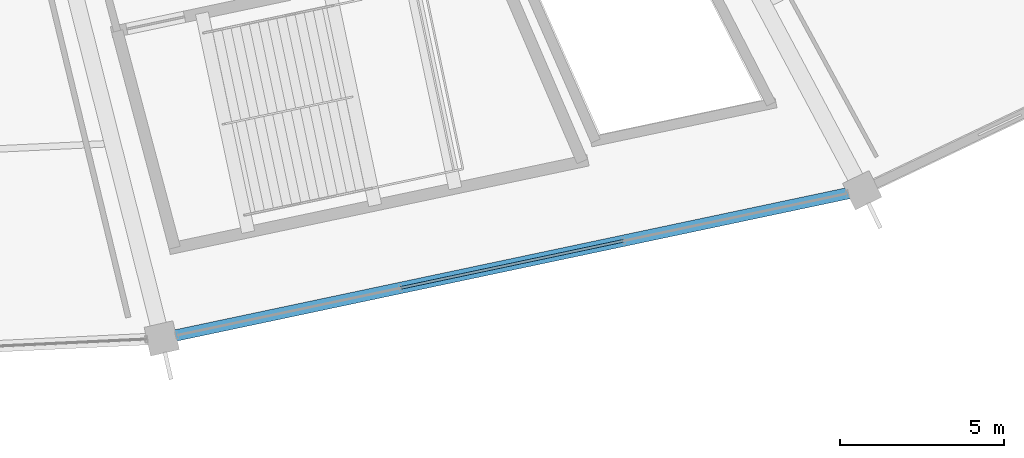
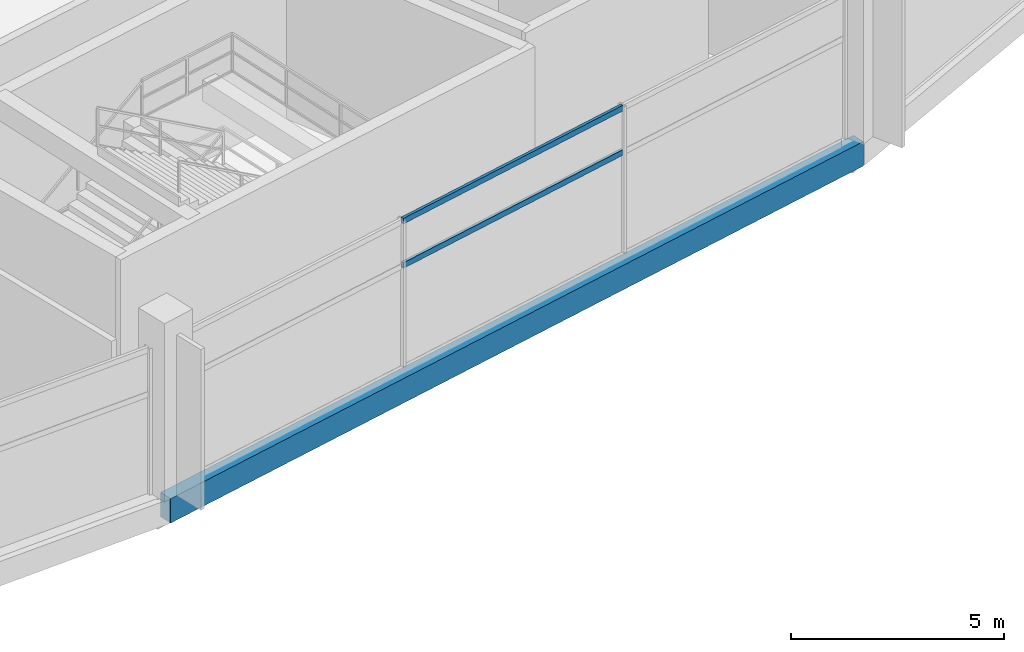
# One storey, part 61 of 184: 2 members, 1 beam, 1 element without a shape of its own.
"""IFC4 building model written with IfcOpenShell, lengths in metres."""

from ifc_helpers import new_model, si_unit, direction, frame, origin, origin_2d, place, context, subcontext, project, spatial, rectangle, hollow_rectangle, extrude, material, layer, layer_set, material_profile, profile_set, type_object, element, aggregate, save


model = new_model("IFC4")

# Units and contexts
model_context = context("Model", 3, precision=1e-05, world=origin(), true_north=direction((0.0, 1.0)))
body_context = subcontext(model_context, "Body", "Model", "MODEL_VIEW")
ifc_project = project(units=[si_unit("LENGTHUNIT", "METRE"), si_unit("AREAUNIT", "SQUARE_METRE"), si_unit("VOLUMEUNIT", "CUBIC_METRE"), si_unit("PLANEANGLEUNIT", "RADIAN"), si_unit("MASSUNIT", "GRAM", prefix="KILO")], contexts=[model_context])

# Site, building, storey
site_placement = place(None, origin())
site = spatial("IfcSite", under=ifc_project, at=site_placement, CompositionType="ELEMENT")
building_placement = place(site_placement, origin())
building = spatial("IfcBuilding", under=site, at=building_placement, Name="Kazemori Nagisa Stadium", CompositionType="ELEMENT")
storey_placement = place(building_placement, frame((0.0, 0.0, 10.5400390625)))
storey = spatial("IfcBuildingStorey", under=building, at=storey_placement, Name="L02", CompositionType="ELEMENT", Elevation=10.5400390625)

# Beam
ifc_material_1 = material(Name="Concrete C40/50 (Fc42)", Category="concrete")
ifc_material_profile_1 = material_profile(ifc_material_1, rectangle(XDim=0.35009765625, YDim=0.699951171875, at=origin_2d()), Name="RC-SP-350x700")
ifc_profile_set_1 = profile_set([ifc_material_profile_1], Name="Concrete C40/50 (Fc42)")
beam_type = type_object("IfcBeamType", Name="Beam_BS-RC350X700", PredefinedType="SPANDREL", material=ifc_profile_set_1)
beam_placement = place(storey_placement, frame((144.427734375, 17.01318359375, -0.610107421875), z_axis=(0.97834587432, 0.206976689994, 0.0), x_axis=(-0.206976689994, 0.97834587432, 0.0)))
element("IfcBeam", 1, at=beam_placement, inside=storey, type_object=beam_type, Name="Ring girder BS-RC350X700 L02 R3-23", PredefinedType="SPANDREL", context=body_context, shape_type="SweptSolid", body=[
    extrude(rectangle(XDim=0.35009765625, YDim=0.699951171875, at=origin_2d()), origin(), (0.0, 0.0, 1.0), 21.85009765625),
])

# Curtain wall, members
ifc_material_2 = material(Name="Anodised aluminium 6063-T5", Category="aluminium")
ifc_layer = layer(ifc_material_2, 0.2099609375, Name="Anodised aluminium 6063-T5", Category="aluminium")
ifc_layer_set = layer_set([ifc_layer], Name="Anodised aluminium 6063-T5")
curtain_wall_type = type_object("IfcCurtainWallType", Name="CW_L02R3_105", PredefinedType="USERDEFINED", material=ifc_layer_set)
curtain_wall_placement = place(storey_placement, origin())
curtain_wall = element("IfcCurtainWall", 2, at=curtain_wall_placement, inside=storey, type_object=curtain_wall_type, Name="Unitised curtain wall CW-L02R3-105 L02", ObjectType="UNITISED CURTAIN WALL", PredefinedType="USERDEFINED")
ifc_material_3 = material(Name="Aluminium 6063-T5 anodised", Category="aluminium")
ifc_material_profile_2 = material_profile(ifc_material_3, hollow_rectangle(XDim=0.080078125, YDim=0.159912109375, WallThickness=0.00390625, at=origin_2d()), Name="ALU-TRAN-80x160x4")
ifc_profile_set_2 = profile_set([ifc_material_profile_2], Name="Aluminium 6063-T5 anodised")
member_type = type_object("IfcMemberType", Name="Transom_T02", PredefinedType="USERDEFINED", material=ifc_profile_set_2)
member_1_placement = place(storey_placement, frame((151.727783203125, 18.5576171875, 2.84912109375), z_axis=(0.978348879673, 0.20696248366, 0.0), x_axis=(-0.20696248366, 0.978348879673, 0.0)))
member_1 = element("IfcMember", 3, at=member_1_placement, type_object=member_type, Name="Curtain wall transom CW-L02R3-105-T2-mid", ObjectType="TRANSOM", PredefinedType="USERDEFINED", context=body_context, shape_type="SweptSolid", body=[
    extrude(hollow_rectangle(XDim=0.080078125, YDim=0.159912109375, WallThickness=0.00390625, at=origin_2d()), origin(), (0.0, 0.0, 1.0), 6.9267578125),
])
member_2_placement = place(storey_placement, frame((151.727783203125, 18.5576171875, 4.119873046875), z_axis=(0.978348879673, 0.20696248366, 0.0), x_axis=(-0.20696248366, 0.978348879673, 0.0)))
member_2 = element("IfcMember", 4, at=member_2_placement, type_object=member_type, Name="Curtain wall transom CW-L02R3-105-T2-head", ObjectType="TRANSOM", PredefinedType="USERDEFINED", context=body_context, shape_type="SweptSolid", body=[
    extrude(hollow_rectangle(XDim=0.080078125, YDim=0.159912109375, WallThickness=0.00390625, at=origin_2d()), origin(), (0.0, 0.0, 1.0), 6.9267578125),
])
aggregate(curtain_wall, [member_1, member_2])

save(model, "model.ifc")
